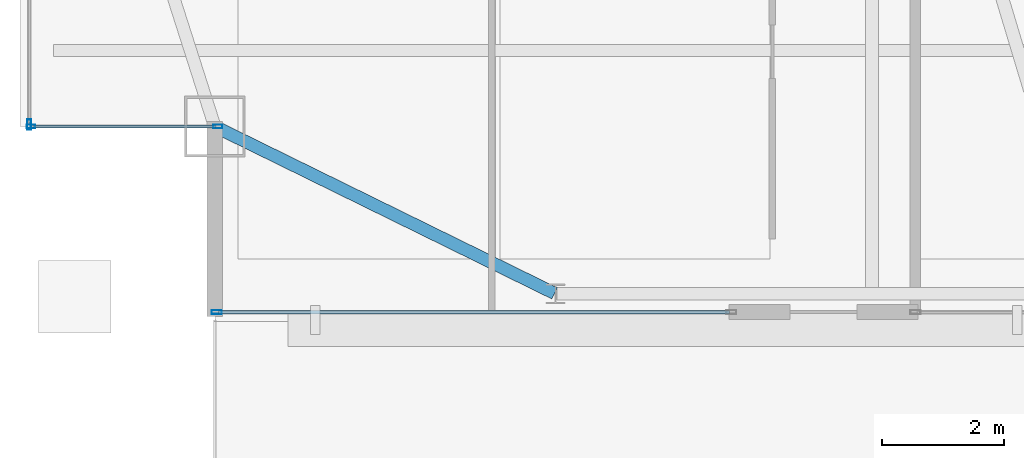
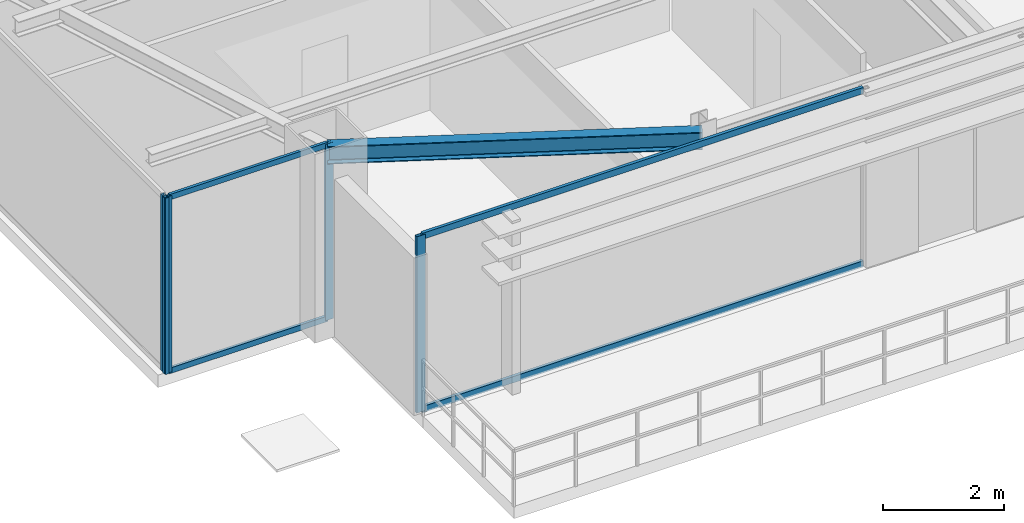
# One storey, part 3 of 25: 8 members, 1 beam, 3 elements without a shape of their own.
"""IFC4 building model written with IfcOpenShell, lengths in metres."""

from ifc_helpers import new_model, si_unit, direction, frame, origin, origin_2d, place, context, subcontext, project, spatial, hollow_rectangle, i_section, extrude, source, transform, mapped, material, layer, layer_set, material_profile, profile_set, type_object, type_shapes, element, aggregate, save


model = new_model("IFC4")

# Units and contexts
model_context = context("Model", 3, precision=1e-05, world=origin(), true_north=direction((0.0, 1.0)))
body_context = subcontext(model_context, "Body", "Model", "MODEL_VIEW")
ifc_project = project(units=[si_unit("LENGTHUNIT", "METRE"), si_unit("AREAUNIT", "SQUARE_METRE"), si_unit("VOLUMEUNIT", "CUBIC_METRE"), si_unit("PLANEANGLEUNIT", "RADIAN"), si_unit("MASSUNIT", "GRAM", prefix="KILO")], contexts=[model_context])

# Site, building, storey
site_placement = place(None, origin())
site = spatial("IfcSite", under=ifc_project, at=site_placement, CompositionType="ELEMENT")
building_placement = place(site_placement, origin())
building = spatial("IfcBuilding", under=site, at=building_placement, Name="Varnel Quay Broadcast Tower", CompositionType="ELEMENT")
storey_placement = place(building_placement, frame((0.0, 0.0, 258.39990234375)))
storey = spatial("IfcBuildingStorey", under=building, at=storey_placement, Name="L64", CompositionType="ELEMENT", Elevation=258.39990234375)

# Beam
ifc_material_1 = material(Name="Structural Steel CSA G40.21 350W", Category="steel")
ifc_material_profile_1 = material_profile(ifc_material_1, i_section(OverallWidth=0.205078125, OverallDepth=0.35400390625, WebThickness=0.009521484375, FlangeThickness=0.016845703125, FilletRadius=0.012939453125, at=origin_2d()), Name="W360X79")
ifc_profile_set_1 = profile_set([ifc_material_profile_1], Name="Structural Steel CSA G40.21 350W")
beam_type = type_object("IfcBeamType", Name="Beam_W360X79", PredefinedType="SPANDREL", material=ifc_profile_set_1)
shared_shape_1 = source(origin(), body_context, "Body", "SweptSolid", [
    extrude(i_section(OverallWidth=0.205078125, OverallDepth=0.35400390625, WebThickness=0.009521484375, FlangeThickness=0.016845703125, FilletRadius=0.012939453125, at=origin_2d()), origin(), (0.0, 0.0, 1.0), 6.19873046875),
])
type_shapes(beam_type, [shared_shape_1])
beam_placement = place(storey_placement, frame((15.218017578125, 16.39111328125, 3.373046875), z_axis=(0.897602447358, -0.440805905697, 0.0), x_axis=(0.440805905697, 0.897602447358, 0.0)))
element("IfcBeam", 1, at=beam_placement, inside=storey, type_object=beam_type, Name="L64 South Spandrel MC-SW-TC-S1", PredefinedType="SPANDREL", context=body_context, shape_type="MappedRepresentation", body=[
    mapped(shared_shape_1, transform((0.0, 0.0, 0.0), x_axis=(1.0, 0.0, 0.0), y_axis=(0.0, 1.0, 0.0), z_axis=(0.0, 0.0, 1.0), scale=1.0)),
])

# Curtain wall, members
ifc_material_2 = material(Name="Anodised Bronze Aluminium 6063-T6", Category="aluminium")
ifc_layer_1 = layer(ifc_material_2, 0.18994140625, Name="Anodised Bronze Aluminium 6063-T6")
ifc_layer_set_1 = layer_set([ifc_layer_1], Name="Anodised Bronze Aluminium 6063-T6")
curtain_wall_type_1 = type_object("IfcCurtainWallType", Name="CW_NotchCorner", PredefinedType="NOTDEFINED", material=ifc_layer_set_1)
curtain_wall_1_placement = place(storey_placement, origin())
curtain_wall_1 = element("IfcCurtainWall", 2, at=curtain_wall_1_placement, inside=storey, type_object=curtain_wall_type_1, Name="L64 SW Notch Curtain Wall", PredefinedType="NOTDEFINED")
ifc_material_profile_2 = material_profile(ifc_material_2, hollow_rectangle(XDim=0.06005859375, YDim=0.14501953125, WallThickness=0.00341796875, at=origin_2d()), Name="ALU60X145X3.5")
ifc_profile_set_2 = profile_set([ifc_material_profile_2], Name="Anodised Bronze Aluminium 6063-T6")
member_type_1 = type_object("IfcMemberType", Name="Mull_CWS-04", PredefinedType="MULLION", material=ifc_profile_set_2)
shared_shape_2 = source(origin(), body_context, "Body", "SweptSolid", [
    extrude(hollow_rectangle(XDim=0.06005859375, YDim=0.14501953125, WallThickness=0.00341796875, at=origin_2d()), origin(), (0.0, 0.0, 1.0), 3.550048828125),
])
type_shapes(member_type_1, [shared_shape_2])
member_1_placement = place(storey_placement, frame((12.179931640625, 16.39990234375, 0.0), z_axis=(0.0, 0.0, 1.0), x_axis=(0.0, 1.0, 0.0)))
member_1 = element("IfcMember", 3, at=member_1_placement, type_object=member_type_1, Name="CWS-04 mullion 1", PredefinedType="MULLION", context=body_context, shape_type="MappedRepresentation", body=[
    mapped(shared_shape_2, transform((0.0, 0.0, 0.0), x_axis=(1.0, 0.0, 0.0), y_axis=(0.0, 1.0, 0.0), z_axis=(0.0, 0.0, 1.0), scale=1.0)),
])
member_2_placement = place(storey_placement, frame((15.25, 16.39990234375, 0.0), z_axis=(0.0, 0.0, 1.0), x_axis=(0.0, 1.0, 0.0)))
member_2 = element("IfcMember", 4, at=member_2_placement, type_object=member_type_1, Name="CWS-04 mullion 2", PredefinedType="MULLION", context=body_context, shape_type="MappedRepresentation", body=[
    mapped(shared_shape_2, transform((0.0, 0.0, 0.0), x_axis=(1.0, 0.0, 0.0), y_axis=(0.0, 1.0, 0.0), z_axis=(0.0, 0.0, 1.0), scale=1.0)),
])

# Curtain wall, member
ifc_layer_2 = layer(ifc_material_2, 0.18994140625, Name="Anodised Bronze Aluminium 6063-T6")
ifc_layer_set_2 = layer_set([ifc_layer_2], Name="Anodised Bronze Aluminium 6063-T6")
curtain_wall_type_2 = type_object("IfcCurtainWallType", Name="CW_UpperTower", PredefinedType="NOTDEFINED", material=ifc_layer_set_2)
curtain_wall_2_placement = place(storey_placement, origin())
curtain_wall_2 = element("IfcCurtainWall", 5, at=curtain_wall_2_placement, inside=storey, type_object=curtain_wall_type_2, Name="L64 South Unitised Curtain Wall 1", PredefinedType="NOTDEFINED")
ifc_material_profile_3 = material_profile(ifc_material_2, hollow_rectangle(XDim=0.06494140625, YDim=0.1650390625, WallThickness=0.00341796875, at=origin_2d()), Name="ALU65X165X3.5")
ifc_profile_set_3 = profile_set([ifc_material_profile_3], Name="Anodised Bronze Aluminium 6063-T6")
member_type_2 = type_object("IfcMemberType", Name="Mull_CWS-03", PredefinedType="MULLION", material=ifc_profile_set_3)
shared_shape_3 = source(origin(), body_context, "Body", "SweptSolid", [
    extrude(hollow_rectangle(XDim=0.06494140625, YDim=0.1650390625, WallThickness=0.00341796875, at=origin_2d()), origin(), (0.0, 0.0, 1.0), 3.550048828125),
])
type_shapes(member_type_2, [shared_shape_3])
member_3_placement = place(storey_placement, frame((15.232421875, 13.35009765625, 0.0), z_axis=(0.0, 0.0, 1.0), x_axis=(0.0, 1.0, 0.0)))
member_3 = element("IfcMember", 6, at=member_3_placement, type_object=member_type_2, Name="CWS-03 mullion 1", PredefinedType="MULLION", context=body_context, shape_type="MappedRepresentation", body=[
    mapped(shared_shape_3, transform((0.0, 0.0, 0.0), x_axis=(1.0, 0.0, 0.0), y_axis=(0.0, 1.0, 0.0), z_axis=(0.0, 0.0, 1.0), scale=1.0)),
])

curtain_wall_3_placement = place(storey_placement, origin())
curtain_wall_3 = element("IfcCurtainWall", 7, at=curtain_wall_3_placement, inside=storey, type_object=curtain_wall_type_2, Name="L64 West Unitised Curtain Wall", PredefinedType="NOTDEFINED")
member_4_placement = place(storey_placement, frame((12.14990234375, 16.4326171875, 0.0), z_axis=(0.0, 0.0, 1.0), x_axis=(-1.0, 0.0, 0.0)))
member_4 = element("IfcMember", 8, at=member_4_placement, type_object=member_type_2, Name="CWS-03 mullion 1", PredefinedType="MULLION", context=body_context, shape_type="MappedRepresentation", body=[
    mapped(shared_shape_3, transform((0.0, 0.0, 0.0), x_axis=(1.0, 0.0, 0.0), y_axis=(0.0, 1.0, 0.0), z_axis=(0.0, 0.0, 1.0), scale=1.0)),
])
aggregate(curtain_wall_3, [member_4])

# Member
ifc_material_profile_4 = material_profile(ifc_material_2, hollow_rectangle(XDim=0.06005859375, YDim=0.125, WallThickness=0.0029296875, at=origin_2d()), Name="ALU60X125X3")
ifc_profile_set_4 = profile_set([ifc_material_profile_4], Name="Anodised Bronze Aluminium 6063-T6")
member_type_3 = type_object("IfcMemberType", Name="Tran_CWS-03", PredefinedType="USERDEFINED", material=ifc_profile_set_4)
shared_shape_4 = source(origin(), body_context, "Body", "SweptSolid", [
    extrude(hollow_rectangle(XDim=0.06005859375, YDim=0.125, WallThickness=0.0029296875, at=origin_2d()), origin(), (0.0, 0.0, 1.0), 8.39013671875),
])
type_shapes(member_type_3, [shared_shape_4])
member_5_placement = place(storey_placement, frame((15.264892578125, 13.35009765625, 0.030029296875), z_axis=(1.0, 0.0, 0.0), x_axis=(0.0, 1.0, 0.0)))
member_5 = element("IfcMember", 9, at=member_5_placement, type_object=member_type_3, Name="CWS-03 transom 1.1", ObjectType="TRANSOM", PredefinedType="USERDEFINED", context=body_context, shape_type="MappedRepresentation", body=[
    mapped(shared_shape_4, transform((0.0, 0.0, 0.0), x_axis=(1.0, 0.0, 0.0), y_axis=(0.0, 1.0, 0.0), z_axis=(0.0, 0.0, 1.0), scale=1.0)),
])

member_6_placement = place(storey_placement, frame((15.264892578125, 13.35009765625, 3.52001953125), z_axis=(1.0, 0.0, 0.0), x_axis=(0.0, 1.0, 0.0)))
member_6 = element("IfcMember", 10, at=member_6_placement, type_object=member_type_3, Name="CWS-03 transom 1.2", ObjectType="TRANSOM", PredefinedType="USERDEFINED", context=body_context, shape_type="MappedRepresentation", body=[
    mapped(shared_shape_4, transform((0.0, 0.0, 0.0), x_axis=(1.0, 0.0, 0.0), y_axis=(0.0, 1.0, 0.0), z_axis=(0.0, 0.0, 1.0), scale=1.0)),
])

aggregate(curtain_wall_2, [member_3, member_5, member_6])

ifc_material_profile_5 = material_profile(ifc_material_2, hollow_rectangle(XDim=0.054931640625, YDim=0.110107421875, WallThickness=0.0029296875, at=origin_2d()), Name="ALU55X110X3")
ifc_profile_set_5 = profile_set([ifc_material_profile_5], Name="Anodised Bronze Aluminium 6063-T6")
member_type_4 = type_object("IfcMemberType", Name="Tran_CWS-04", PredefinedType="USERDEFINED", material=ifc_profile_set_5)
shared_shape_5 = source(origin(), body_context, "Body", "SweptSolid", [
    extrude(hollow_rectangle(XDim=0.054931640625, YDim=0.110107421875, WallThickness=0.0029296875, at=origin_2d()), origin(), (0.0, 0.0, 1.0), 3.010009765625),
])
type_shapes(member_type_4, [shared_shape_5])
member_7_placement = place(storey_placement, frame((12.2099609375, 16.39990234375, 0.027587890625), z_axis=(1.0, 0.0, 0.0), x_axis=(0.0, 1.0, 0.0)))
member_7 = element("IfcMember", 11, at=member_7_placement, type_object=member_type_4, Name="CWS-04 transom 1.1", ObjectType="TRANSOM", PredefinedType="USERDEFINED", context=body_context, shape_type="MappedRepresentation", body=[
    mapped(shared_shape_5, transform((0.0, 0.0, 0.0), x_axis=(1.0, 0.0, 0.0), y_axis=(0.0, 1.0, 0.0), z_axis=(0.0, 0.0, 1.0), scale=1.0)),
])

member_8_placement = place(storey_placement, frame((12.2099609375, 16.39990234375, 3.522705078125), z_axis=(1.0, 0.0, 0.0), x_axis=(0.0, 1.0, 0.0)))
member_8 = element("IfcMember", 12, at=member_8_placement, type_object=member_type_4, Name="CWS-04 transom 1.2", ObjectType="TRANSOM", PredefinedType="USERDEFINED", context=body_context, shape_type="MappedRepresentation", body=[
    mapped(shared_shape_5, transform((0.0, 0.0, 0.0), x_axis=(1.0, 0.0, 0.0), y_axis=(0.0, 1.0, 0.0), z_axis=(0.0, 0.0, 1.0), scale=1.0)),
])

aggregate(curtain_wall_1, [member_1, member_2, member_7, member_8])

save(model, "model.ifc")
